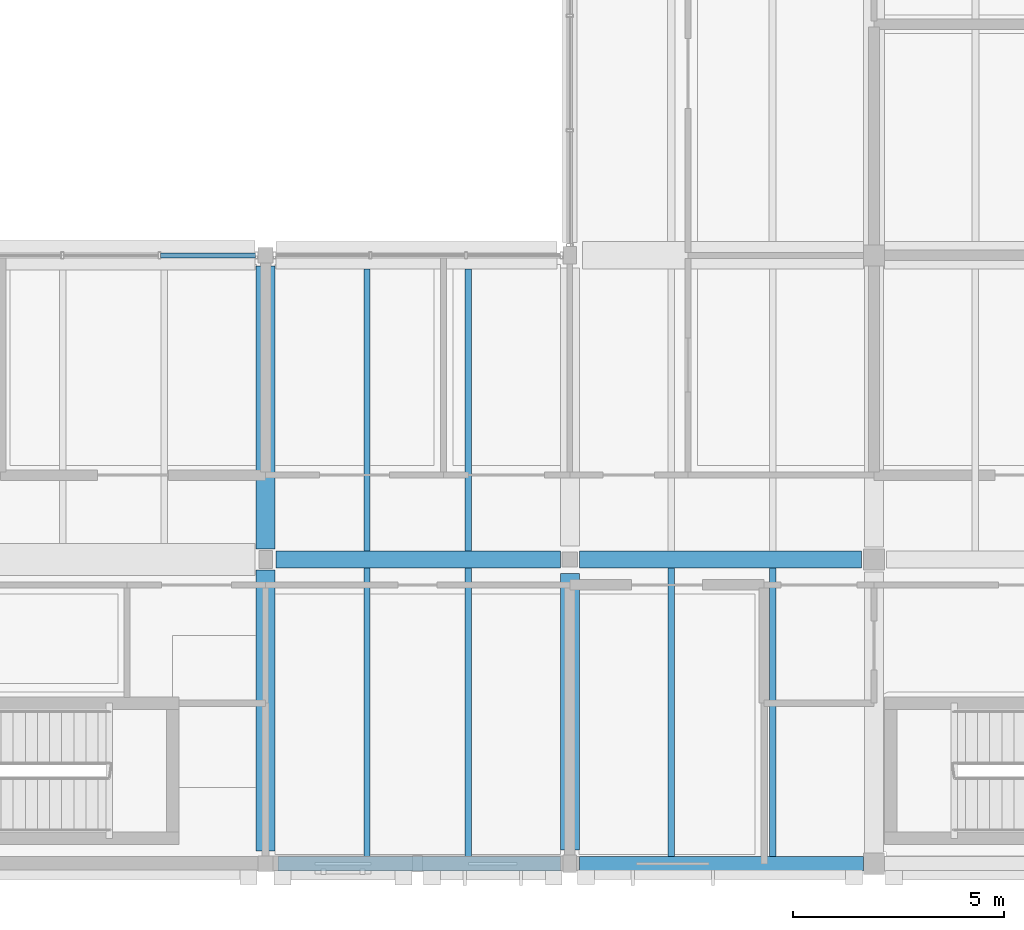
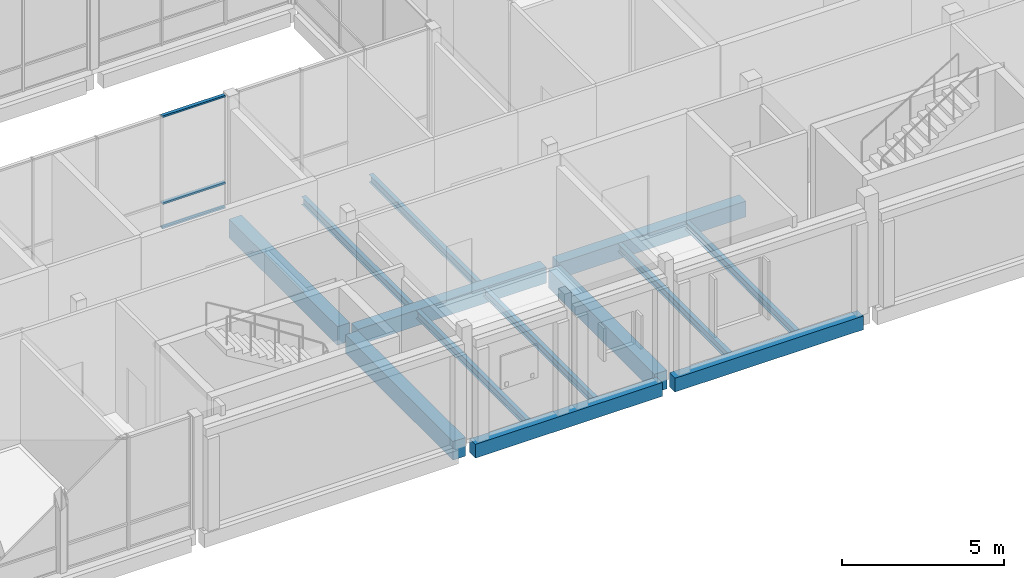
# One storey, part 68 of 146: 13 beams, 3 members, 1 element without a shape of its own.
"""IFC4 building model written with IfcOpenShell, lengths in metres."""

from ifc_helpers import new_model, si_unit, direction, frame, origin, origin_2d, place, context, subcontext, project, spatial, rectangle, hollow_rectangle, i_section, extrude, material, material_profile, profile_set, type_object, element, aggregate, save


model = new_model("IFC4")

# Units and contexts
model_context = context("Model", 3, precision=1e-05, world=origin(), true_north=direction((0.0, 1.0)))
body_context = subcontext(model_context, "Body", "Model", "MODEL_VIEW")
ifc_project = project(units=[si_unit("LENGTHUNIT", "METRE"), si_unit("AREAUNIT", "SQUARE_METRE"), si_unit("VOLUMEUNIT", "CUBIC_METRE"), si_unit("PLANEANGLEUNIT", "RADIAN"), si_unit("MASSUNIT", "GRAM", prefix="KILO")], contexts=[model_context])

# Site, building, storey
site_placement = place(None, origin())
site = spatial("IfcSite", under=ifc_project, at=site_placement, CompositionType="ELEMENT")
building_placement = place(site_placement, origin())
building = spatial("IfcBuilding", under=site, at=building_placement, Name="Hawrajan Terrace Health Centre", CompositionType="ELEMENT")
storey_placement = place(building_placement, frame((0.0, 0.0, 4.5)))
storey = spatial("IfcBuildingStorey", under=building, at=storey_placement, Name="L01", CompositionType="ELEMENT", Elevation=4.5)

# Curtain wall, members
ifc_material_1 = material(Name="Anodized bronze aluminium and low-E solar glazing", Category="aluminium")
curtain_wall_type = type_object("IfcCurtainWallType", Name="CW_Diagnostic_SeriesM2", PredefinedType="USERDEFINED", material=ifc_material_1)
curtain_wall_placement = place(storey_placement, origin())
curtain_wall = element("IfcCurtainWall", 1, at=curtain_wall_placement, inside=storey, type_object=curtain_wall_type, Name="Curtain wall CW-L01-096", ObjectType="UNITISED CURTAIN WALL", PredefinedType="USERDEFINED")
ifc_material_2 = material(Name="Anodized bronze aluminium 6063-T6", Category="aluminium")
ifc_material_profile_1 = material_profile(ifc_material_2, hollow_rectangle(XDim=0.06494140625, YDim=0.1201171875, WallThickness=0.00341796875, at=origin_2d()), Name="CW TRN 65x120")
ifc_profile_set_1 = profile_set([ifc_material_profile_1], Name="Anodized bronze aluminium 6063-T6")
member_type = type_object("IfcMemberType", Name="CWTransom_65x120", PredefinedType="USERDEFINED", material=ifc_profile_set_1)
member_1_placement = place(storey_placement, frame((98.115234375, 18.60009765625, 0.032470703125), z_axis=(1.0, 0.0, 0.0), x_axis=(0.0, 0.0, 1.0)))
member_1 = element("IfcMember", 2, at=member_1_placement, type_object=member_type, Name="Transom CW-L01-096-T4-1", ObjectType="TRANSOM", PredefinedType="USERDEFINED", context=body_context, shape_type="SweptSolid", body=[
    extrude(hollow_rectangle(XDim=0.06494140625, YDim=0.1201171875, WallThickness=0.00341796875, at=origin_2d()), origin(), (0.0, 0.0, 1.0), 2.245849609375),
])
member_2_placement = place(storey_placement, frame((98.115234375, 18.60009765625, 0.949951171875), z_axis=(1.0, 0.0, 0.0), x_axis=(0.0, 0.0, 1.0)))
member_2 = element("IfcMember", 3, at=member_2_placement, type_object=member_type, Name="Transom CW-L01-096-T4-2", ObjectType="TRANSOM", PredefinedType="USERDEFINED", context=body_context, shape_type="SweptSolid", body=[
    extrude(hollow_rectangle(XDim=0.06494140625, YDim=0.1201171875, WallThickness=0.00341796875, at=origin_2d()), origin(), (0.0, 0.0, 1.0), 2.245849609375),
])
member_3_placement = place(storey_placement, frame((98.115234375, 18.60009765625, 4.2275390625), z_axis=(1.0, 0.0, 0.0), x_axis=(0.0, 0.0, 1.0)))
member_3 = element("IfcMember", 4, at=member_3_placement, type_object=member_type, Name="Transom CW-L01-096-T4-3", ObjectType="TRANSOM", PredefinedType="USERDEFINED", context=body_context, shape_type="SweptSolid", body=[
    extrude(hollow_rectangle(XDim=0.06494140625, YDim=0.1201171875, WallThickness=0.00341796875, at=origin_2d()), origin(), (0.0, 0.0, 1.0), 2.245849609375),
])
aggregate(curtain_wall, [member_1, member_2, member_3])

# Beams
ifc_material_3 = material(Name="Concrete C40/50", Category="concrete")
ifc_material_profile_2 = material_profile(ifc_material_3, rectangle(XDim=0.39990234375, YDim=0.60009765625, at=origin_2d()), Name="RC BM 400x600")
ifc_profile_set_2 = profile_set([ifc_material_profile_2], Name="Concrete C40/50")
beam_type_1 = type_object("IfcBeamType", Name="RCGirder_400x600", PredefinedType="BEAM", material=ifc_profile_set_2)
beam_1_placement = place(storey_placement, frame((100.85009765625, 11.39990234375, -0.60009765625), z_axis=(1.0, 0.0, 0.0), x_axis=(0.0, 1.0, 0.0)))
element("IfcBeam", 5, at=beam_1_placement, inside=storey, type_object=beam_type_1, Name="Beam BM-X-L01-C-13-Y2", PredefinedType="BEAM", context=body_context, shape_type="SweptSolid", body=[
    extrude(rectangle(XDim=0.39990234375, YDim=0.60009765625, at=origin_2d()), origin(), (0.0, 0.0, 1.0), 6.724853515625),
])
beam_2_placement = place(storey_placement, frame((108.02490234375, 11.39990234375, -0.60009765625), z_axis=(1.0, 0.0, 0.0), x_axis=(0.0, 1.0, 0.0)))
element("IfcBeam", 6, at=beam_2_placement, inside=storey, type_object=beam_type_1, Name="Beam BM-X-L01-C-14-Y2", PredefinedType="BEAM", context=body_context, shape_type="SweptSolid", body=[
    extrude(rectangle(XDim=0.39990234375, YDim=0.60009765625, at=origin_2d()), origin(), (0.0, 0.0, 1.0), 6.675048828125),
])
ifc_material_profile_3 = material_profile(ifc_material_3, rectangle(XDim=0.449951171875, YDim=0.699951171875, at=origin_2d()), Name="RC BM 450x700")
ifc_profile_set_3 = profile_set([ifc_material_profile_3], Name="Concrete C40/50")
beam_type_2 = type_object("IfcBeamType", Name="RCGirder_450x700", PredefinedType="BEAM", material=ifc_profile_set_3)
beam_3_placement = place(storey_placement, frame((100.60009765625, 4.5, -0.64990234375), z_axis=(0.0, 1.0, 0.0), x_axis=(-1.0, 0.0, 0.0)))
element("IfcBeam", 7, at=beam_3_placement, inside=storey, type_object=beam_type_2, Name="Beam BM-Y-L01-C-X13-1", PredefinedType="BEAM", context=body_context, shape_type="SweptSolid", body=[
    extrude(rectangle(XDim=0.449951171875, YDim=0.699951171875, at=origin_2d()), origin(), (0.0, 0.0, 1.0), 6.64990234375),
])
beam_4_placement = place(storey_placement, frame((100.60009765625, 11.64990234375, -0.64990234375), z_axis=(0.0, 1.0, 0.0), x_axis=(-1.0, 0.0, 0.0)))
element("IfcBeam", 8, at=beam_4_placement, inside=storey, type_object=beam_type_2, Name="Beam BM-Y-L01-C-X13-2", PredefinedType="BEAM", context=body_context, shape_type="SweptSolid", body=[
    extrude(rectangle(XDim=0.449951171875, YDim=0.699951171875, at=origin_2d()), origin(), (0.0, 0.0, 1.0), 6.7001953125),
])
beam_5_placement = place(storey_placement, frame((107.800048828125, 4.52490234375, -0.64990234375), z_axis=(0.0, 1.0, 0.0), x_axis=(-1.0, 0.0, 0.0)))
element("IfcBeam", 9, at=beam_5_placement, inside=storey, type_object=beam_type_2, Name="Beam BM-Y-L01-C-X14-1", PredefinedType="BEAM", context=body_context, shape_type="SweptSolid", body=[
    extrude(rectangle(XDim=0.449951171875, YDim=0.699951171875, at=origin_2d()), origin(), (0.0, 0.0, 1.0), 6.550048828125),
])
ifc_material_profile_4 = material_profile(ifc_material_3, rectangle(XDim=0.35009765625, YDim=0.52001953125, at=origin_2d()), Name="RC SP 350x520")
ifc_profile_set_4 = profile_set([ifc_material_profile_4], Name="Concrete C40/50")
beam_type_3 = type_object("IfcBeamType", Name="RCSpandrel_350x520", PredefinedType="SPANDREL", material=ifc_profile_set_4)
beam_6_placement = place(storey_placement, frame((100.89990234375, 4.199951171875, -0.56005859375), z_axis=(1.0, 0.0, 0.0), x_axis=(0.0, 1.0, 0.0)))
element("IfcBeam", 10, at=beam_6_placement, inside=storey, type_object=beam_type_3, Name="Beam BM-X-L01-C-13-Y1", PredefinedType="SPANDREL", context=body_context, shape_type="SweptSolid", body=[
    extrude(rectangle(XDim=0.35009765625, YDim=0.52001953125, at=origin_2d()), origin(), (0.0, 0.0, 1.0), 6.675048828125),
])
beam_7_placement = place(storey_placement, frame((108.02490234375, 4.199951171875, -0.56005859375), z_axis=(1.0, 0.0, 0.0), x_axis=(0.0, 1.0, 0.0)))
element("IfcBeam", 11, at=beam_7_placement, inside=storey, type_object=beam_type_3, Name="Beam BM-X-L01-C-14-Y1", PredefinedType="SPANDREL", context=body_context, shape_type="SweptSolid", body=[
    extrude(rectangle(XDim=0.35009765625, YDim=0.52001953125, at=origin_2d()), origin(), (0.0, 0.0, 1.0), 6.72509765625),
])
ifc_material_4 = material(Name="Steel S355", Category="steel")
ifc_material_profile_5 = material_profile(ifc_material_4, i_section(OverallWidth=0.14990234375, OverallDepth=0.300048828125, WebThickness=0.007080078125, FlangeThickness=0.0107421875, FilletRadius=0.014892578125, at=origin_2d()), Name="IPE 300")
ifc_profile_set_5 = profile_set([ifc_material_profile_5], Name="Steel S355")
beam_type_4 = type_object("IfcBeamType", Name="SteelBeam_IPE300", PredefinedType="JOIST", material=ifc_profile_set_5)
for number, where, z_axis, x_axis, name in (
    (12, (103.0, 4.375, -0.449951171875), (0.0, 1.0, 0.0), (-1.0, 0.0, 0.0), "Secondary joist JST-L01-C-13-1-1"),
    (13, (105.39990234375, 4.375, -0.449951171875), (0.0, 1.0, 0.0), (-1.0, 0.0, 0.0), "Secondary joist JST-L01-C-13-1-2"),
):
    element("IfcBeam", number, at=place(storey_placement, frame(where, z_axis=z_axis, x_axis=x_axis)), inside=storey, type_object=beam_type_4, Name=name, PredefinedType="JOIST", context=body_context, shape_type="SweptSolid", body=[
        extrude(i_section(OverallWidth=0.14990234375, OverallDepth=0.300048828125, WebThickness=0.007080078125, FlangeThickness=0.0107421875, FilletRadius=0.014892578125, at=origin_2d()), origin(), (0.0, 0.0, 1.0), 6.824951171875),
    ])
for number, where, z_axis, x_axis, name in (
    (14, (103.0, 11.60009765625, -0.449951171875), (0.0, 1.0, 0.0), (-1.0, 0.0, 0.0), "Secondary joist JST-L01-C-13-2-1"),
    (15, (105.39990234375, 11.60009765625, -0.449951171875), (0.0, 1.0, 0.0), (-1.0, 0.0, 0.0), "Secondary joist JST-L01-C-13-2-2"),
):
    element("IfcBeam", number, at=place(storey_placement, frame(where, z_axis=z_axis, x_axis=x_axis)), inside=storey, type_object=beam_type_4, Name=name, PredefinedType="JOIST", context=body_context, shape_type="SweptSolid", body=[
        extrude(i_section(OverallWidth=0.14990234375, OverallDepth=0.300048828125, WebThickness=0.007080078125, FlangeThickness=0.0107421875, FilletRadius=0.014892578125, at=origin_2d()), origin(), (0.0, 0.0, 1.0), 6.6748046875),
    ])
for number, where, z_axis, x_axis, name in (
    (16, (110.199951171875, 4.375, -0.449951171875), (0.0, 1.0, 0.0), (-1.0, 0.0, 0.0), "Secondary joist JST-L01-C-14-1-1"),
    (17, (112.60009765625, 4.375, -0.449951171875), (0.0, 1.0, 0.0), (-1.0, 0.0, 0.0), "Secondary joist JST-L01-C-14-1-2"),
):
    element("IfcBeam", number, at=place(storey_placement, frame(where, z_axis=z_axis, x_axis=x_axis)), inside=storey, type_object=beam_type_4, Name=name, PredefinedType="JOIST", context=body_context, shape_type="SweptSolid", body=[
        extrude(i_section(OverallWidth=0.14990234375, OverallDepth=0.300048828125, WebThickness=0.007080078125, FlangeThickness=0.0107421875, FilletRadius=0.014892578125, at=origin_2d()), origin(), (0.0, 0.0, 1.0), 6.824951171875),
    ])

save(model, "model.ifc")
